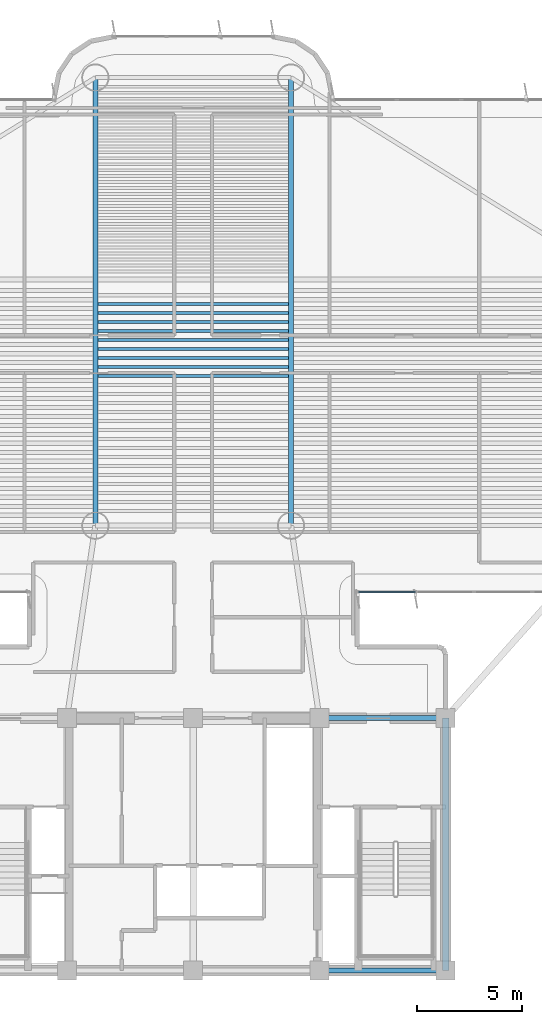
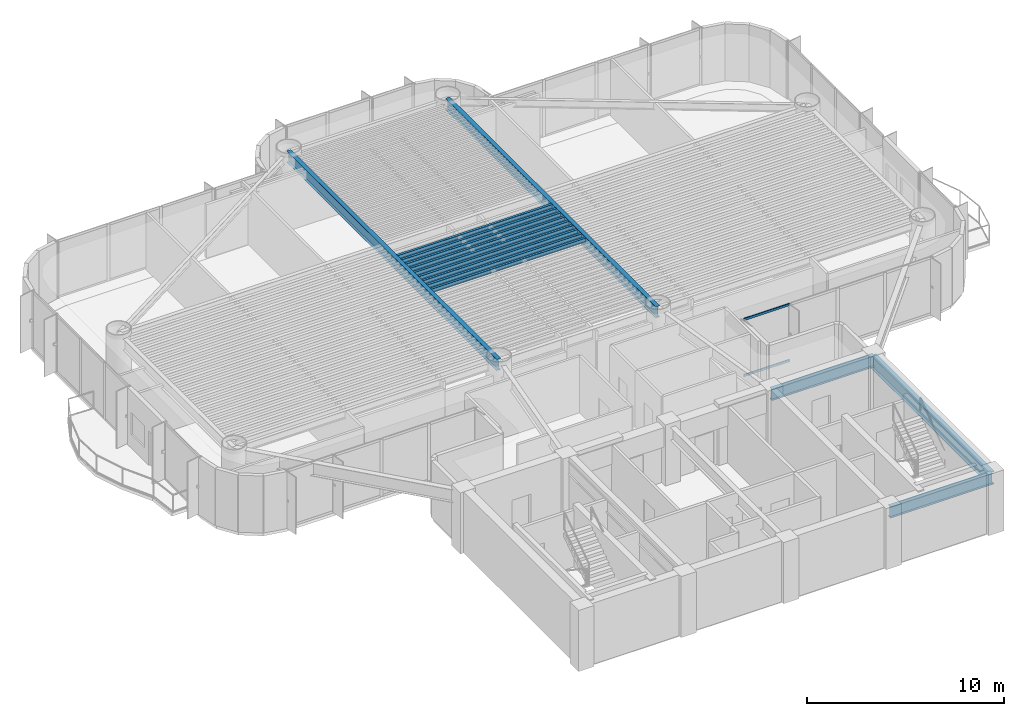
# One storey, part 3 of 16: 14 beams, 2 members, 1 element without a shape of its own.
"""IFC4 building model written with IfcOpenShell, lengths in metres."""

from ifc_helpers import new_model, si_unit, direction, frame, origin, origin_2d, place, context, subcontext, project, spatial, rectangle, i_section, extrude, source, transform, mapped, material, layer, layer_set, material_profile, profile_set, type_object, element, aggregate, save


model = new_model("IFC4")

# Units and contexts
model_context = context("Model", 3, precision=1e-05, world=origin(), true_north=direction((0.0, 1.0)))
body_context = subcontext(model_context, "Body", "Model", "MODEL_VIEW")
ifc_project = project(units=[si_unit("LENGTHUNIT", "METRE"), si_unit("AREAUNIT", "SQUARE_METRE"), si_unit("VOLUMEUNIT", "CUBIC_METRE"), si_unit("PLANEANGLEUNIT", "RADIAN"), si_unit("MASSUNIT", "GRAM", prefix="KILO")], contexts=[model_context])

# Site, building, storey
site_placement = place(None, origin())
site = spatial("IfcSite", under=ifc_project, at=site_placement, CompositionType="ELEMENT")
building_placement = place(site_placement, origin())
building = spatial("IfcBuilding", under=site, at=building_placement, Name="Brelvock Crest Care Tower", CompositionType="ELEMENT")
storey_placement = place(building_placement, frame((0.0, 0.0, 123.840087890625)))
storey = spatial("IfcBuildingStorey", under=building, at=storey_placement, Name="L31", CompositionType="ELEMENT", Elevation=123.840087890625)

# Beams
ifc_material_1 = material(Name="Steel Grade 350", Category="steel")
ifc_material_profile_1 = material_profile(ifc_material_1, i_section(OverallWidth=0.25, OverallDepth=0.699951171875, WebThickness=0.011962890625, FlangeThickness=0.02001953125, at=origin_2d()), Name="700WB150")
ifc_profile_set_1 = profile_set([ifc_material_profile_1], Name="Steel Grade 350")
beam_type_1 = type_object("IfcBeamType", Name="BM-G4", PredefinedType="BEAM", material=ifc_profile_set_1)
shared_shape_1 = source(origin(), body_context, "Body", "SweptSolid", [
    extrude(i_section(OverallWidth=0.25, OverallDepth=0.699951171875, WebThickness=0.011962890625, FlangeThickness=0.02001953125, at=origin_2d()), origin(), (0.0, 0.0, 1.0), 6.0),
])
for number, where, z_axis, x_axis, name in (
    (1, (42.0, 6.0, 3.179931640625), (1.0, 0.0, 0.0), (0.0, 1.0, 0.0), "BM-CORES-L31-4"),
    (2, (42.0, 18.0, 3.179931640625), (1.0, 0.0, 0.0), (0.0, 1.0, 0.0), "BM-COREN-L31-4"),
):
    element("IfcBeam", number, at=place(storey_placement, frame(where, z_axis=z_axis, x_axis=x_axis)), inside=storey, type_object=beam_type_1, Name=name, PredefinedType="BEAM", context=body_context, shape_type="MappedRepresentation", body=[
        mapped(shared_shape_1, transform((0.0, 0.0, 0.0), x_axis=(1.0, 0.0, 0.0), y_axis=(0.0, 1.0, 0.0), z_axis=(0.0, 0.0, 1.0), scale=1.0)),
    ])
ifc_material_profile_2 = material_profile(ifc_material_1, i_section(OverallWidth=0.300048828125, OverallDepth=0.800048828125, WebThickness=0.013916015625, FlangeThickness=0.02197265625, at=origin_2d()), Name="800WB192")
ifc_profile_set_2 = profile_set([ifc_material_profile_2], Name="Steel Grade 350")
beam_type_2 = type_object("IfcBeamType", Name="BM-G5", PredefinedType="BEAM", material=ifc_profile_set_2)
shared_shape_2 = source(origin(), body_context, "Body", "SweptSolid", [
    extrude(i_section(OverallWidth=0.300048828125, OverallDepth=0.800048828125, WebThickness=0.013916015625, FlangeThickness=0.02197265625, at=origin_2d()), origin(), (0.0, 0.0, 1.0), 12.0),
])
beam_placement = place(storey_placement, frame((48.0, 6.0, 3.1298828125), z_axis=(0.0, 1.0, 0.0), x_axis=(-1.0, 0.0, 0.0)))
element("IfcBeam", 3, at=beam_placement, inside=storey, type_object=beam_type_2, Name="BM-COREX-L31-5", PredefinedType="BEAM", context=body_context, shape_type="MappedRepresentation", body=[
    mapped(shared_shape_2, transform((0.0, 0.0, 0.0), x_axis=(1.0, 0.0, 0.0), y_axis=(0.0, 1.0, 0.0), z_axis=(0.0, 0.0, 1.0), scale=1.0)),
])
ifc_material_profile_3 = material_profile(ifc_material_1, i_section(OverallWidth=0.14599609375, OverallDepth=0.256103515625, WebThickness=0.00634765625, FlangeThickness=0.010986328125, FilletRadius=0.0087890625, at=origin_2d()), Name="250UB37.3")
ifc_profile_set_3 = profile_set([ifc_material_profile_3], Name="Steel Grade 350")
beam_type_3 = type_object("IfcBeamType", Name="BM-J3", PredefinedType="JOIST", material=ifc_profile_set_3)
shared_shape_3 = source(origin(), body_context, "Body", "SweptSolid", [
    extrude(i_section(OverallWidth=0.14599609375, OverallDepth=0.256103515625, WebThickness=0.00634765625, FlangeThickness=0.010986328125, FilletRadius=0.0087890625, at=origin_2d()), origin(), (0.0, 0.0, 1.0), 9.06982421875),
])
for number, where, z_axis, x_axis, name in (
    (4, (31.465087890625, 34.2607421875, 3.40185546875), (1.0, 0.0, 0.0), (0.0, 1.0, 0.0), "BM-JH-L31-16"),
    (5, (31.465087890625, 34.687744140625, 3.40185546875), (1.0, 0.0, 0.0), (0.0, 1.0, 0.0), "BM-JH-L31-17"),
    (6, (31.465087890625, 35.11474609375, 3.40185546875), (1.0, 0.0, 0.0), (0.0, 1.0, 0.0), "BM-JH-L31-18"),
    (7, (31.465087890625, 35.541748046875, 3.40185546875), (1.0, 0.0, 0.0), (0.0, 1.0, 0.0), "BM-JH-L31-19"),
    (8, (31.465087890625, 35.96875, 3.40185546875), (1.0, 0.0, 0.0), (0.0, 1.0, 0.0), "BM-JH-L31-20"),
    (9, (31.465087890625, 36.39599609375, 3.40185546875), (1.0, 0.0, 0.0), (0.0, 1.0, 0.0), "BM-JH-L31-21"),
    (10, (31.465087890625, 36.822998046875, 3.40185546875), (1.0, 0.0, 0.0), (0.0, 1.0, 0.0), "BM-JH-L31-22"),
    (11, (31.465087890625, 37.25, 3.40185546875), (1.0, 0.0, 0.0), (0.0, 1.0, 0.0), "BM-JH-L31-23"),
    (12, (31.465087890625, 37.677001953125, 3.40185546875), (1.0, 0.0, 0.0), (0.0, 1.0, 0.0), "BM-JH-L31-24"),
):
    element("IfcBeam", number, at=place(storey_placement, frame(where, z_axis=z_axis, x_axis=x_axis)), inside=storey, type_object=beam_type_3, Name=name, PredefinedType="JOIST", context=body_context, shape_type="MappedRepresentation", body=[
        mapped(shared_shape_3, transform((0.0, 0.0, 0.0), x_axis=(1.0, 0.0, 0.0), y_axis=(0.0, 1.0, 0.0), z_axis=(0.0, 0.0, 1.0), scale=1.0)),
    ])
shared_shape_4 = source(origin(), body_context, "Body", "SweptSolid", [
    extrude(i_section(OverallWidth=0.25, OverallDepth=0.699951171875, WebThickness=0.011962890625, FlangeThickness=0.02001953125, at=origin_2d()), origin(), (0.0, 0.0, 1.0), 21.300048828125),
])
for number, where, z_axis, x_axis, name in (
    (13, (31.35009765625, 27.14990234375, 3.179931640625), (0.0, 1.0, 0.0), (-1.0, 0.0, 0.0), "BM-TWR-L31-09"),
    (14, (40.64990234375, 27.14990234375, 3.179931640625), (0.0, 1.0, 0.0), (-1.0, 0.0, 0.0), "BM-TWR-L31-10"),
):
    element("IfcBeam", number, at=place(storey_placement, frame(where, z_axis=z_axis, x_axis=x_axis)), inside=storey, type_object=beam_type_1, Name=name, PredefinedType="BEAM", context=body_context, shape_type="MappedRepresentation", body=[
        mapped(shared_shape_4, transform((0.0, 0.0, 0.0), x_axis=(1.0, 0.0, 0.0), y_axis=(0.0, 1.0, 0.0), z_axis=(0.0, 0.0, 1.0), scale=1.0)),
    ])

# Curtain wall, members
ifc_material_2 = material(Name="Dark Glass Double Glazed Low-E", Category="glass")
ifc_layer = layer(ifc_material_2, 0.2099609375, Name="CWS-3")
ifc_layer_set = layer_set([ifc_layer], Name="Dark Glass Double Glazed Low-E")
curtain_wall_type = type_object("IfcCurtainWallType", Name="CWS-3", PredefinedType="NOTDEFINED", material=ifc_layer_set)
curtain_wall_placement = place(storey_placement, origin())
curtain_wall = element("IfcCurtainWall", 15, at=curtain_wall_placement, inside=storey, type_object=curtain_wall_type, Name="L31 Curtain Wall E44", PredefinedType="NOTDEFINED")
ifc_material_3 = material(Name="Aluminium 6063-T6", Category="aluminium")
ifc_material_profile_4 = material_profile(ifc_material_3, rectangle(XDim=0.06005859375, YDim=0.139892578125, at=origin_2d()), Name="ALU60x140")
ifc_profile_set_4 = profile_set([ifc_material_profile_4], Name="Aluminium 6063-T6")
member_type = type_object("IfcMemberType", Name="CWT-2", PredefinedType="USERDEFINED", material=ifc_profile_set_4)
shared_shape_5 = source(origin(), body_context, "Body", "SweptSolid", [
    extrude(rectangle(XDim=0.06005859375, YDim=0.139892578125, at=origin_2d()), origin(), (0.0, 0.0, 1.0), 2.684814453125),
])
member_1_placement = place(storey_placement, frame((46.544921875, 24.0, 0.030029296875), z_axis=(-1.0, 0.0, 0.0), x_axis=(0.0, -1.0, 0.0)))
member_1 = element("IfcMember", 16, at=member_1_placement, type_object=member_type, Name="CW-3 transom 4.1", ObjectType="TRANSOM", PredefinedType="USERDEFINED", context=body_context, shape_type="MappedRepresentation", body=[
    mapped(shared_shape_5, transform((0.0, 0.0, 0.0), x_axis=(1.0, 0.0, 0.0), y_axis=(0.0, 1.0, 0.0), z_axis=(0.0, 0.0, 1.0), scale=1.0)),
])
member_2_placement = place(storey_placement, frame((46.544921875, 24.0, 3.5), z_axis=(-1.0, 0.0, 0.0), x_axis=(0.0, -1.0, 0.0)))
member_2 = element("IfcMember", 17, at=member_2_placement, type_object=member_type, Name="CW-3 transom 4.2", ObjectType="TRANSOM", PredefinedType="USERDEFINED", context=body_context, shape_type="MappedRepresentation", body=[
    mapped(shared_shape_5, transform((0.0, 0.0, 0.0), x_axis=(1.0, 0.0, 0.0), y_axis=(0.0, 1.0, 0.0), z_axis=(0.0, 0.0, 1.0), scale=1.0)),
])
aggregate(curtain_wall, [member_1, member_2])

save(model, "model.ifc")
